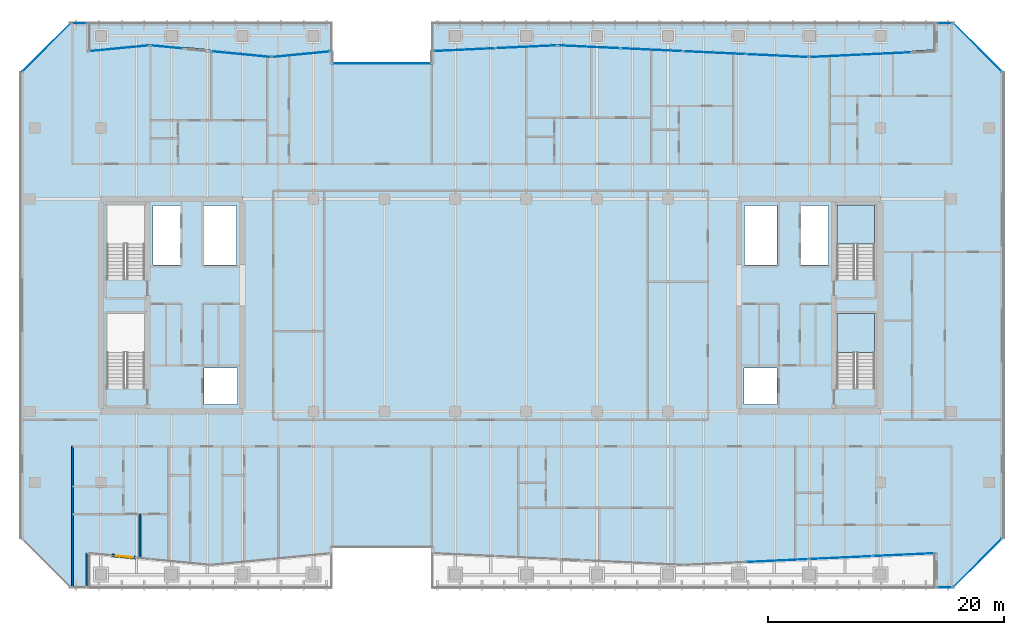
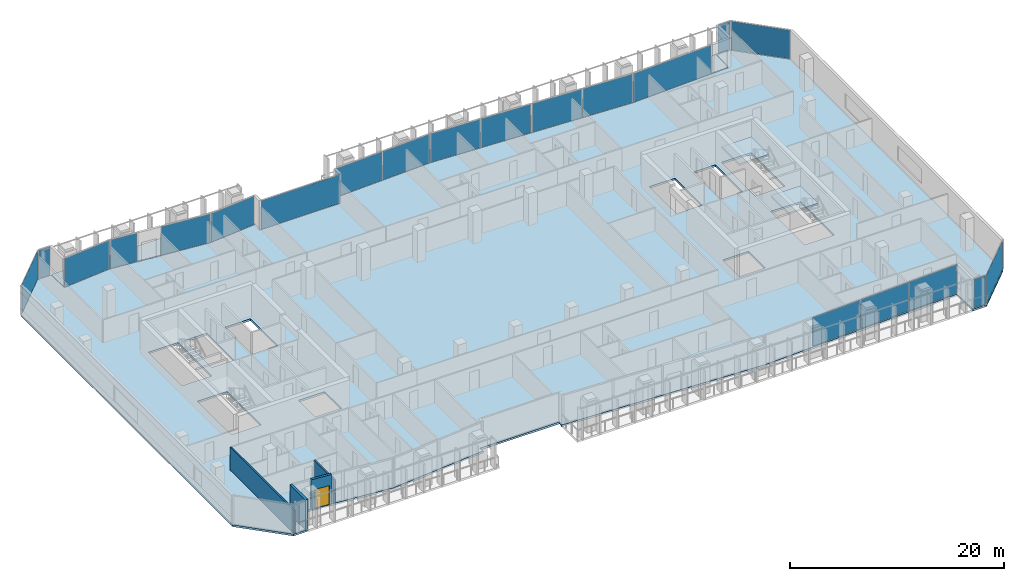
# One storey, part 26 of 39: 21 plates, 5 slabs, 4 walls, 1 door, 1 opening, 19 elements without a shape of their own.
"""IFC4 building model written with IfcOpenShell, lengths in metres."""

from ifc_helpers import new_model, si_unit, direction, frame, frame_2d, origin, origin_2d, place, context, subcontext, project, spatial, polyline, rectangle, outline, extrude, material, layer, layer_set, type_object, element, fill, aggregate, save


model = new_model("IFC4")

# Units and contexts
model_context = context("Model", 3, precision=1e-05, world=origin(), true_north=direction((0.0, 1.0)))
body_context = subcontext(model_context, "Body", "Model", "MODEL_VIEW")
ifc_project = project(units=[si_unit("LENGTHUNIT", "METRE"), si_unit("AREAUNIT", "SQUARE_METRE"), si_unit("VOLUMEUNIT", "CUBIC_METRE"), si_unit("PLANEANGLEUNIT", "RADIAN"), si_unit("MASSUNIT", "GRAM", prefix="KILO")], contexts=[model_context])

# Site, building, storey
site_placement = place(None, origin())
site = spatial("IfcSite", under=ifc_project, at=site_placement, CompositionType="ELEMENT")
building_placement = place(site_placement, origin())
building = spatial("IfcBuilding", under=site, at=building_placement, Name="Tanjung Sevakor Pilgrim Tower", CompositionType="ELEMENT")
storey_placement = place(building_placement, frame((0.0, 0.0, 108.570068359375)))
storey = spatial("IfcBuildingStorey", under=building, at=storey_placement, Name="L30", CompositionType="ELEMENT", Elevation=108.570068359375)

# Stair, slab
ifc_material_1 = material(Name="Concrete C40/50", Category="concrete")
stair_type = type_object("IfcStairType", Name="STAIR-ST-CR150", PredefinedType="HALF_TURN_STAIR", material=ifc_material_1)
stair_1_placement = place(storey_placement, origin())
stair_1 = element("IfcStair", 1, at=stair_1_placement, inside=storey, type_object=stair_type, Name="L30 East Core Exit Stair 1", PredefinedType="HALF_TURN_STAIR")
ifc_material_2 = material(Name="Concrete C40/50", Category="concrete")
ifc_layer_1 = layer(ifc_material_2, 0.199951171875)
ifc_layer_set_1 = layer_set([ifc_layer_1], Name="SL-LAND-200")
slab_type_1 = type_object("IfcSlabType", Name="SL-LAND-200", PredefinedType="LANDING", material=ifc_layer_set_1)
slab_1_placement = place(storey_placement, frame((0.0, 0.0, 1.614990234375)))
slab_1 = element("IfcSlab", 2, at=slab_1_placement, type_object=slab_type_1, Name="TS-E1 landing 1", PredefinedType="LANDING", context=body_context, shape_type="SweptSolid", body=[
    extrude(outline(polyline([(89.5, 29.60009765625), (89.5, 32.89990234375), (86.300048828125, 32.89990234375), (86.300048828125, 29.60009765625), (89.5, 29.60009765625)])), origin(), (0.0, 0.0, 1.0), 0.199951171875),
])
aggregate(stair_1, [slab_1])

stair_2_placement = place(storey_placement, origin())
stair_2 = element("IfcStair", 3, at=stair_2_placement, inside=storey, type_object=stair_type, Name="L30 East Core Exit Stair 2", PredefinedType="HALF_TURN_STAIR")
slab_2_placement = place(storey_placement, frame((0.0, 0.0, 1.614990234375)))
slab_2 = element("IfcSlab", 4, at=slab_2_placement, type_object=slab_type_1, Name="TS-E2 landing 1", PredefinedType="LANDING", context=body_context, shape_type="SweptSolid", body=[
    extrude(outline(polyline([(89.5, 38.800048828125), (89.5, 42.10009765625), (86.300048828125, 42.10009765625), (86.300048828125, 38.800048828125), (89.5, 38.800048828125)])), origin(), (0.0, 0.0, 1.0), 0.199951171875),
])
aggregate(stair_2, [slab_2])

# Slabs
ifc_material_3 = material(Name="Concrete C40/50", Category="concrete")
ifc_layer_2 = layer(ifc_material_3, 0.239990234375)
ifc_layer_set_2 = layer_set([ifc_layer_2], Name="SL-TER-240")
slab_type_2 = type_object("IfcSlabType", Name="SL-TER-240", PredefinedType="FLOOR", material=ifc_layer_set_2)
slab_3_placement = place(storey_placement, frame((0.0, 0.0, -0.219970703125)))
element("IfcSlab", 5, at=slab_3_placement, inside=storey, type_object=slab_type_2, Name="L30 Recessed S-Curve Terrace NW", PredefinedType="FLOOR", context=body_context, shape_type="SweptSolid", body=[
    extrude(outline(polyline([(23.0, 55.219970703125), (28.14990234375, 55.719970703125), (33.300048828125, 55.219970703125), (38.449951171875, 54.719970703125), (43.60009765625, 55.219970703125), (43.60009765625, 57.60009765625), (23.0, 57.60009765625), (23.0, 55.219970703125)])), origin(), (0.0, 0.0, 1.0), 0.219970703125),
])
slab_4_placement = place(storey_placement, frame((0.0, 0.0, -0.219970703125)))
element("IfcSlab", 6, at=slab_4_placement, inside=storey, type_object=slab_type_2, Name="L30 Recessed S-Curve Terrace NE", PredefinedType="FLOOR", context=body_context, shape_type="SweptSolid", body=[
    extrude(outline(polyline([(52.0, 55.219970703125), (62.64990234375, 55.719970703125), (73.300048828125, 55.219970703125), (83.949951171875, 54.719970703125), (94.60009765625, 55.219970703125), (94.60009765625, 57.60009765625), (52.0, 57.60009765625), (52.0, 55.219970703125)])), origin(), (0.0, 0.0, 1.0), 0.219970703125),
])
ifc_material_4 = material(Name="Concrete C40/50", Category="concrete")
ifc_layer_3 = layer(ifc_material_4, 0.219970703125)
ifc_layer_set_3 = layer_set([ifc_layer_3], Name="SL-TWR-220")
slab_type_3 = type_object("IfcSlabType", Name="SL-TWR-220", PredefinedType="FLOOR", material=ifc_layer_set_3)
slab_5_placement = place(storey_placement, frame((0.0, 0.0, -0.219970703125)))
element("IfcSlab", 7, at=slab_5_placement, inside=storey, type_object=slab_type_3, Name="L30 Floor Slab MAIN", PredefinedType="FLOOR", context=body_context, shape_type="SweptSolid", body=[
    extrude(outline(polyline([(21.447021484375, 9.679931640625), (22.919921875, 9.679931640625), (23.0, 12.56005859375), (28.14990234375, 12.06005859375), (33.300048828125, 11.56005859375), (38.449951171875, 12.06005859375), (43.60009765625, 12.56005859375), (43.52001953125, 13.080078125), (52.080078125, 13.080078125), (52.0, 12.56005859375), (62.64990234375, 12.06005859375), (73.300048828125, 11.56005859375), (83.949951171875, 12.06005859375), (94.60009765625, 12.56005859375), (94.679931640625, 9.679931640625), (96.153076171875, 9.679931640625), (100.320068359375, 13.846923828125), (100.320068359375, 53.35302734375), (96.153076171875, 57.52001953125), (94.679931640625, 57.52001953125), (94.60009765625, 55.139892578125), (83.949951171875, 54.639892578125), (73.300048828125, 55.139892578125), (62.64990234375, 55.639892578125), (52.0, 55.139892578125), (52.080078125, 54.1201171875), (43.52001953125, 54.1201171875), (43.60009765625, 55.139892578125), (38.449951171875, 54.639892578125), (33.300048828125, 55.139892578125), (28.14990234375, 55.639892578125), (23.0, 55.139892578125), (22.919921875, 57.52001953125), (21.447021484375, 57.52001953125), (17.280029296875, 53.35302734375), (17.280029296875, 13.846923828125), (21.447021484375, 9.679931640625)]), holes=[polyline([(27.699951171875, 26.60009765625), (27.699951171875, 32.89990234375), (24.5, 32.89990234375), (24.5, 26.60009765625), (27.699951171875, 26.60009765625)]), polyline([(27.699951171875, 35.800048828125), (27.699951171875, 42.10009765625), (24.5, 42.10009765625), (24.5, 35.800048828125), (27.699951171875, 35.800048828125)]), polyline([(89.5, 26.60009765625), (89.5, 32.89990234375), (86.300048828125, 32.89990234375), (86.300048828125, 26.60009765625), (89.5, 26.60009765625)]), polyline([(89.5, 35.800048828125), (89.5, 42.10009765625), (86.300048828125, 42.10009765625), (86.300048828125, 35.800048828125), (89.5, 35.800048828125)]), polyline([(32.75, 25.199951171875), (35.550048828125, 25.199951171875), (35.550048828125, 28.300048828125), (32.75, 28.300048828125), (32.75, 25.199951171875)]), polyline([(28.39990234375, 37.0), (30.75, 37.0), (30.75, 42.050048828125), (28.39990234375, 42.050048828125), (28.39990234375, 37.0)]), polyline([(32.75, 37.0), (35.5, 37.0), (35.5, 42.050048828125), (32.75, 42.050048828125), (32.75, 37.0)]), polyline([(78.449951171875, 25.199951171875), (81.25, 25.199951171875), (81.25, 28.300048828125), (78.449951171875, 28.300048828125), (78.449951171875, 25.199951171875)]), polyline([(83.25, 37.0), (85.60009765625, 37.0), (85.60009765625, 42.050048828125), (83.25, 42.050048828125), (83.25, 37.0)]), polyline([(78.5, 37.0), (81.25, 37.0), (81.25, 42.050048828125), (78.5, 42.050048828125), (78.5, 37.0)])]), origin(), (0.0, 0.0, 1.0), 0.219970703125),
])

# Curtain wall, plate
ifc_material_5 = material(Name="Aluminium 6063-T6 and Low-E Glass", Category="aluminium")
ifc_layer_4 = layer(ifc_material_5, 0.179931640625)
ifc_layer_set_4 = layer_set([ifc_layer_4], Name="CW-SYS-CHAM")
curtain_wall_type_1 = type_object("IfcCurtainWallType", Name="CW-SYS-CHAM", PredefinedType="NOTDEFINED", material=ifc_layer_set_4)
curtain_wall_1_placement = place(storey_placement, origin())
curtain_wall_1 = element("IfcCurtainWall", 8, at=curtain_wall_1_placement, inside=storey, type_object=curtain_wall_type_1, Name="L30 Curtain Wall CW-CHM-L30-MAIN-15", PredefinedType="NOTDEFINED")
ifc_material_6 = material(Name="Laminated Low-E Double Glazing", Category="glass")
ifc_layer_5 = layer(ifc_material_6, 0.028076171875)
ifc_layer_set_5 = layer_set([ifc_layer_5], Name="TYPE-CWP-GLZ1")
plate_type_1 = type_object("IfcPlateType", Name="TYPE-CWP-GLZ1", PredefinedType="CURTAIN_PANEL", material=ifc_layer_set_5)
plate_1_placement = place(storey_placement, frame((98.211669921875, 11.788330078125, 0.06494140625), z_axis=(0.0, 0.0, 1.0), x_axis=(0.707106781187, 0.707106781187, 0.0)))
plate_1 = element("IfcPlate", 9, at=plate_1_placement, type_object=plate_type_1, Name="CW-CHM panel 1.1", PredefinedType="CURTAIN_PANEL", context=body_context, shape_type="SweptSolid", body=[
    extrude(rectangle(XDim=5.7060546875, YDim=0.028076171875, at=origin_2d()), origin(), (0.0, 0.0, 1.0), 3.280029296875),
])
aggregate(curtain_wall_1, [plate_1])

curtain_wall_2_placement = place(storey_placement, origin())
curtain_wall_2 = element("IfcCurtainWall", 10, at=curtain_wall_2_placement, inside=storey, type_object=curtain_wall_type_1, Name="L30 Curtain Wall CW-CHM-L30-MAIN-17", PredefinedType="NOTDEFINED")
plate_2_placement = place(storey_placement, frame((98.211669921875, 55.41162109375, 0.06494140625), z_axis=(0.0, 0.0, 1.0), x_axis=(-0.707106781187, 0.707106781187, 0.0)))
plate_2 = element("IfcPlate", 11, at=plate_2_placement, type_object=plate_type_1, Name="CW-CHM panel 1.1", PredefinedType="CURTAIN_PANEL", context=body_context, shape_type="SweptSolid", body=[
    extrude(rectangle(XDim=5.7060546875, YDim=0.028076171875, at=origin_2d()), origin(), (0.0, 0.0, 1.0), 3.280029296875),
])
aggregate(curtain_wall_2, [plate_2])

ifc_material_7 = material(Name="Aluminium 6063-T6 and Low-E Glass", Category="aluminium")
ifc_layer_6 = layer(ifc_material_7, 0.179931640625)
ifc_layer_set_6 = layer_set([ifc_layer_6], Name="CW-SYS-CLEFT")
curtain_wall_type_2 = type_object("IfcCurtainWallType", Name="CW-SYS-CLEFT", PredefinedType="NOTDEFINED", material=ifc_layer_set_6)
curtain_wall_3_placement = place(storey_placement, origin())
curtain_wall_3 = element("IfcCurtainWall", 12, at=curtain_wall_3_placement, inside=storey, type_object=curtain_wall_type_2, Name="L30 Curtain Wall CW-CLF-L30-25", PredefinedType="NOTDEFINED")
plate_3_placement = place(storey_placement, frame((47.800048828125, 54.074951171875, 0.06494140625), z_axis=(0.0, 0.0, 1.0), x_axis=(-1.0, 0.0, 0.0)))
plate_3 = element("IfcPlate", 13, at=plate_3_placement, type_object=plate_type_1, Name="CW-CLF panel 1.1", PredefinedType="CURTAIN_PANEL", context=body_context, shape_type="SweptSolid", body=[
    extrude(rectangle(XDim=8.5, YDim=0.028076171875, at=origin_2d()), origin(), (0.0, 0.0, 1.0), 3.280029296875),
])
aggregate(curtain_wall_3, [plate_3])

curtain_wall_4_placement = place(storey_placement, origin())
curtain_wall_4 = element("IfcCurtainWall", 14, at=curtain_wall_4_placement, inside=storey, type_object=curtain_wall_type_1, Name="L30 Curtain Wall CW-CHM-L30-MAIN-33", PredefinedType="NOTDEFINED")
plate_4_placement = place(storey_placement, frame((19.388427734375, 55.41162109375, 0.06494140625), z_axis=(0.0, 0.0, 1.0), x_axis=(-0.707106781187, -0.707106781187, 0.0)))
plate_4 = element("IfcPlate", 15, at=plate_4_placement, type_object=plate_type_1, Name="CW-CHM panel 1.1", PredefinedType="CURTAIN_PANEL", context=body_context, shape_type="SweptSolid", body=[
    extrude(rectangle(XDim=5.7060546875, YDim=0.028076171875, at=origin_2d()), origin(), (0.0, 0.0, 1.0), 3.280029296875),
])
aggregate(curtain_wall_4, [plate_4])

ifc_material_8 = material(Name="Aluminium 6063-T6 and Low-E Glass", Category="aluminium")
ifc_layer_7 = layer(ifc_material_8, 0.199951171875)
ifc_layer_set_7 = layer_set([ifc_layer_7], Name="CW-SYS-PRAY")
curtain_wall_type_3 = type_object("IfcCurtainWallType", Name="CW-SYS-PRAY", PredefinedType="NOTDEFINED", material=ifc_layer_set_7)
curtain_wall_5_placement = place(storey_placement, origin())
curtain_wall_5 = element("IfcCurtainWall", 16, at=curtain_wall_5_placement, inside=storey, type_object=curtain_wall_type_3, Name="L30 Curtain Wall CW-PRY-L30-11", PredefinedType="NOTDEFINED")
ifc_material_9 = material(Name="Solar-Control Low-E Acoustic Glazing", Category="glass")
ifc_layer_8 = layer(ifc_material_9, 0.031982421875)
ifc_layer_set_8 = layer_set([ifc_layer_8], Name="TYPE-CWP-GLZ2")
plate_type_2 = type_object("IfcPlateType", Name="TYPE-CWP-GLZ2", PredefinedType="CURTAIN_PANEL", material=ifc_layer_set_8)
plate_5_placement = place(storey_placement, frame((81.264404296875, 11.97900390625, 0.07470703125), z_axis=(0.0, 0.0, 1.0), x_axis=(0.998899405896, 0.046903911367, 0.0)))
plate_5 = element("IfcPlate", 17, at=plate_5_placement, type_object=plate_type_2, Name="CW-PRY panel 2.1", PredefinedType="CURTAIN_PANEL", context=body_context, shape_type="SweptSolid", body=[
    extrude(rectangle(XDim=5.21533203125, YDim=0.031982421875, at=origin_2d()), origin(), (0.0, 0.0, 1.0), 3.260009765625),
])
aggregate(curtain_wall_5, [plate_5])

# Curtain wall, plates
curtain_wall_6_placement = place(storey_placement, origin())
curtain_wall_6 = element("IfcCurtainWall", 18, at=curtain_wall_6_placement, inside=storey, type_object=curtain_wall_type_3, Name="L30 Curtain Wall CW-PRY-L30-12", PredefinedType="NOTDEFINED")
plate_6_placement = place(storey_placement, frame((86.657958984375, 12.232421875, 0.07470703125), z_axis=(0.0, 0.0, 1.0), x_axis=(0.998899942061, 0.046892491411, 0.0)))
plate_6 = element("IfcPlate", 19, at=plate_6_placement, type_object=plate_type_2, Name="CW-PRY panel 1.1", PredefinedType="CURTAIN_PANEL", context=body_context, shape_type="SweptSolid", body=[
    extrude(rectangle(XDim=5.283935546875, YDim=0.031982421875, at=origin_2d()), origin(), (0.0, 0.0, 1.0), 3.260009765625),
])
plate_7_placement = place(storey_placement, frame((92.010986328125, 12.483642578125, 0.07470703125), z_axis=(0.0, 0.0, 1.0), x_axis=(0.998899942061, 0.046892491411, 0.0)))
plate_7 = element("IfcPlate", 20, at=plate_7_placement, type_object=plate_type_2, Name="CW-PRY panel 2.1", PredefinedType="CURTAIN_PANEL", context=body_context, shape_type="SweptSolid", body=[
    extrude(rectangle(XDim=5.283935546875, YDim=0.031982421875, at=origin_2d()), origin(), (0.0, 0.0, 1.0), 3.260009765625),
])
aggregate(curtain_wall_6, [plate_6, plate_7])

# Curtain wall, plate
curtain_wall_7_placement = place(storey_placement, origin())
curtain_wall_7 = element("IfcCurtainWall", 21, at=curtain_wall_7_placement, inside=storey, type_object=curtain_wall_type_3, Name="L30 Curtain Wall CW-PRY-L30-14", PredefinedType="NOTDEFINED")
plate_8_placement = place(storey_placement, frame((95.4365234375, 9.72509765625, 0.07470703125), z_axis=(0.0, 0.0, 1.0), x_axis=(1.0, 0.0, 0.0)))
plate_8 = element("IfcPlate", 22, at=plate_8_placement, type_object=plate_type_2, Name="CW-PRY panel 1.1", PredefinedType="CURTAIN_PANEL", context=body_context, shape_type="SweptSolid", body=[
    extrude(rectangle(XDim=1.273193359375, YDim=0.031982421875, at=origin_2d()), origin(), (0.0, 0.0, 1.0), 3.260009765625),
])
aggregate(curtain_wall_7, [plate_8])

curtain_wall_8_placement = place(storey_placement, origin())
curtain_wall_8 = element("IfcCurtainWall", 23, at=curtain_wall_8_placement, inside=storey, type_object=curtain_wall_type_3, Name="L30 Curtain Wall CW-PRY-L30-18", PredefinedType="NOTDEFINED")
plate_9_placement = place(storey_placement, frame((95.4365234375, 57.47509765625, 0.07470703125), z_axis=(0.0, 0.0, 1.0), x_axis=(-1.0, 0.0, 0.0)))
plate_9 = element("IfcPlate", 24, at=plate_9_placement, type_object=plate_type_2, Name="CW-PRY panel 1.1", PredefinedType="CURTAIN_PANEL", context=body_context, shape_type="SweptSolid", body=[
    extrude(rectangle(XDim=1.273193359375, YDim=0.031982421875, at=origin_2d()), origin(), (0.0, 0.0, 1.0), 3.260009765625),
])
aggregate(curtain_wall_8, [plate_9])

curtain_wall_9_placement = place(storey_placement, origin())
curtain_wall_9 = element("IfcCurtainWall", 25, at=curtain_wall_9_placement, inside=storey, type_object=curtain_wall_type_3, Name="L30 Curtain Wall CW-PRY-L30-20B", PredefinedType="NOTDEFINED")
plate_10_placement = place(storey_placement, frame((88.30859375, 54.799560546875, 0.07470703125), z_axis=(0.0, 0.0, 1.0), x_axis=(-0.998900082081, -0.04688950863, 0.0)))
plate_10 = element("IfcPlate", 26, at=plate_10_placement, type_object=plate_type_2, Name="CW-PRY panel 1.1", PredefinedType="CURTAIN_PANEL", context=body_context, shape_type="SweptSolid", body=[
    extrude(rectangle(XDim=8.576904296875, YDim=0.031982421875, at=origin_2d()), origin(), (0.0, 0.0, 1.0), 3.260009765625),
])
aggregate(curtain_wall_9, [plate_10])

# Curtain wall, plates
curtain_wall_10_placement = place(storey_placement, origin())
curtain_wall_10 = element("IfcCurtainWall", 27, at=curtain_wall_10_placement, inside=storey, type_object=curtain_wall_type_3, Name="L30 Curtain Wall CW-PRY-L30-21", PredefinedType="NOTDEFINED")
plate_11_placement = place(storey_placement, frame((81.267333984375, 54.720947265625, 0.07470703125), z_axis=(0.0, 0.0, 1.0), x_axis=(-0.998900082494, 0.046889499825, 0.0)))
plate_11 = element("IfcPlate", 28, at=plate_11_placement, type_object=plate_type_2, Name="CW-PRY panel 1.1", PredefinedType="CURTAIN_PANEL", context=body_context, shape_type="SweptSolid", body=[
    extrude(rectangle(XDim=5.221435546875, YDim=0.031982421875, at=origin_2d()), origin(), (0.0, 0.0, 1.0), 3.260009765625),
])
plate_12_placement = place(storey_placement, frame((75.976806640625, 54.96923828125, 0.07470703125), z_axis=(0.0, 0.0, 1.0), x_axis=(-0.998900082494, 0.046889499825, 0.0)))
plate_12 = element("IfcPlate", 29, at=plate_12_placement, type_object=plate_type_2, Name="CW-PRY panel 2.1", PredefinedType="CURTAIN_PANEL", context=body_context, shape_type="SweptSolid", body=[
    extrude(rectangle(XDim=5.221435546875, YDim=0.031982421875, at=origin_2d()), origin(), (0.0, 0.0, 1.0), 3.260009765625),
])
aggregate(curtain_wall_10, [plate_11, plate_12])

curtain_wall_11_placement = place(storey_placement, origin())
curtain_wall_11 = element("IfcCurtainWall", 30, at=curtain_wall_11_placement, inside=storey, type_object=curtain_wall_type_3, Name="L30 Curtain Wall CW-PRY-L30-22", PredefinedType="NOTDEFINED")
plate_13_placement = place(storey_placement, frame((70.6142578125, 55.220947265625, 0.07470703125), z_axis=(0.0, 0.0, 1.0), x_axis=(-0.998899405896, 0.046903911367, 0.0)))
plate_13 = element("IfcPlate", 31, at=plate_13_placement, type_object=plate_type_2, Name="CW-PRY panel 1.1", PredefinedType="CURTAIN_PANEL", context=body_context, shape_type="SweptSolid", body=[
    extrude(rectangle(XDim=5.21533203125, YDim=0.031982421875, at=origin_2d()), origin(), (0.0, 0.0, 1.0), 3.260009765625),
])
plate_14_placement = place(storey_placement, frame((65.329833984375, 55.468994140625, 0.07470703125), z_axis=(0.0, 0.0, 1.0), x_axis=(-0.998899405896, 0.046903911367, 0.0)))
plate_14 = element("IfcPlate", 32, at=plate_14_placement, type_object=plate_type_2, Name="CW-PRY panel 2.1", PredefinedType="CURTAIN_PANEL", context=body_context, shape_type="SweptSolid", body=[
    extrude(rectangle(XDim=5.21533203125, YDim=0.031982421875, at=origin_2d()), origin(), (0.0, 0.0, 1.0), 3.260009765625),
])
aggregate(curtain_wall_11, [plate_13, plate_14])

curtain_wall_12_placement = place(storey_placement, origin())
curtain_wall_12 = element("IfcCurtainWall", 33, at=curtain_wall_12_placement, inside=storey, type_object=curtain_wall_type_3, Name="L30 Curtain Wall CW-PRY-L30-23", PredefinedType="NOTDEFINED")
plate_15_placement = place(storey_placement, frame((60.0, 55.470458984375, 0.07470703125), z_axis=(0.0, 0.0, 1.0), x_axis=(-0.998899439641, -0.046903192699, 0.0)))
plate_15 = element("IfcPlate", 34, at=plate_15_placement, type_object=plate_type_2, Name="CW-PRY panel 1.1", PredefinedType="CURTAIN_PANEL", context=body_context, shape_type="SweptSolid", body=[
    extrude(rectangle(XDim=5.15576171875, YDim=0.031982421875, at=origin_2d()), origin(), (0.0, 0.0, 1.0), 3.260009765625),
])
plate_16_placement = place(storey_placement, frame((54.77490234375, 55.22509765625, 0.07470703125), z_axis=(0.0, 0.0, 1.0), x_axis=(-0.998899439641, -0.046903192699, 0.0)))
plate_16 = element("IfcPlate", 35, at=plate_16_placement, type_object=plate_type_2, Name="CW-PRY panel 2.1", PredefinedType="CURTAIN_PANEL", context=body_context, shape_type="SweptSolid", body=[
    extrude(rectangle(XDim=5.15576171875, YDim=0.031982421875, at=origin_2d()), origin(), (0.0, 0.0, 1.0), 3.260009765625),
])
aggregate(curtain_wall_12, [plate_15, plate_16])

# Curtain wall, plate
curtain_wall_13_placement = place(storey_placement, origin())
curtain_wall_13 = element("IfcCurtainWall", 36, at=curtain_wall_13_placement, inside=storey, type_object=curtain_wall_type_3, Name="L30 Curtain Wall CW-PRY-L30-27", PredefinedType="NOTDEFINED")
plate_17_placement = place(storey_placement, frame((40.96240234375, 54.83837890625, 0.07470703125), z_axis=(0.0, 0.0, 1.0), x_axis=(-0.99531939477, -0.096640066202, 0.0)))
plate_17 = element("IfcPlate", 37, at=plate_17_placement, type_object=plate_type_2, Name="CW-PRY panel 1.1", PredefinedType="CURTAIN_PANEL", context=body_context, shape_type="SweptSolid", body=[
    extrude(rectangle(XDim=4.898681640625, YDim=0.031982421875, at=origin_2d()), origin(), (0.0, 0.0, 1.0), 3.260009765625),
])
aggregate(curtain_wall_13, [plate_17])

curtain_wall_14_placement = place(storey_placement, origin())
curtain_wall_14 = element("IfcCurtainWall", 38, at=curtain_wall_14_placement, inside=storey, type_object=curtain_wall_type_3, Name="L30 Curtain Wall CW-PRY-L30-28", PredefinedType="NOTDEFINED")
plate_18_placement = place(storey_placement, frame((35.868896484375, 54.844970703125, 0.07470703125), z_axis=(0.0, 0.0, 1.0), x_axis=(-0.99531961101, 0.096637839059, 0.0)))
plate_18 = element("IfcPlate", 39, at=plate_18_placement, type_object=plate_type_2, Name="CW-PRY panel 1.1", PredefinedType="CURTAIN_PANEL", context=body_context, shape_type="SweptSolid", body=[
    extrude(rectangle(XDim=5.036376953125, YDim=0.031982421875, at=origin_2d()), origin(), (0.0, 0.0, 1.0), 3.260009765625),
])
aggregate(curtain_wall_14, [plate_18])

curtain_wall_15_placement = place(storey_placement, origin())
curtain_wall_15 = element("IfcCurtainWall", 40, at=curtain_wall_15_placement, inside=storey, type_object=curtain_wall_type_3, Name="L30 Curtain Wall CW-PRY-L30-29B", PredefinedType="NOTDEFINED")
plate_19_placement = place(storey_placement, frame((29.5693359375, 55.45654296875, 0.07470703125), z_axis=(0.0, 0.0, 1.0), x_axis=(-0.995320144627, 0.096632342925, 0.0)))
plate_19 = element("IfcPlate", 41, at=plate_19_placement, type_object=plate_type_2, Name="CW-PRY panel 1.1", PredefinedType="CURTAIN_PANEL", context=body_context, shape_type="SweptSolid", body=[
    extrude(rectangle(XDim=2.7021484375, YDim=0.031982421875, at=origin_2d()), origin(), (0.0, 0.0, 1.0), 3.260009765625),
])
aggregate(curtain_wall_15, [plate_19])

curtain_wall_16_placement = place(storey_placement, origin())
curtain_wall_16 = element("IfcCurtainWall", 42, at=curtain_wall_16_placement, inside=storey, type_object=curtain_wall_type_3, Name="L30 Curtain Wall CW-PRY-L30-30", PredefinedType="NOTDEFINED")
plate_20_placement = place(storey_placement, frame((25.512451171875, 55.33837890625, 0.07470703125), z_axis=(0.0, 0.0, 1.0), x_axis=(-0.995320731042, -0.096626302622, 0.0)))
plate_20 = element("IfcPlate", 43, at=plate_20_placement, type_object=plate_type_2, Name="CW-PRY panel 1.1", PredefinedType="CURTAIN_PANEL", context=body_context, shape_type="SweptSolid", body=[
    extrude(rectangle(XDim=5.14990234375, YDim=0.031982421875, at=origin_2d()), origin(), (0.0, 0.0, 1.0), 3.260009765625),
])
aggregate(curtain_wall_16, [plate_20])

curtain_wall_17_placement = place(storey_placement, origin())
curtain_wall_17 = element("IfcCurtainWall", 44, at=curtain_wall_17_placement, inside=storey, type_object=curtain_wall_type_3, Name="L30 Curtain Wall CW-PRY-L30-32", PredefinedType="NOTDEFINED")
plate_21_placement = place(storey_placement, frame((22.163330078125, 57.47509765625, 0.07470703125), z_axis=(0.0, 0.0, 1.0), x_axis=(-1.0, 0.0, 0.0)))
plate_21 = element("IfcPlate", 45, at=plate_21_placement, type_object=plate_type_2, Name="CW-PRY panel 1.1", PredefinedType="CURTAIN_PANEL", context=body_context, shape_type="SweptSolid", body=[
    extrude(rectangle(XDim=1.273193359375, YDim=0.031982421875, at=origin_2d()), origin(), (0.0, 0.0, 1.0), 3.260009765625),
])
aggregate(curtain_wall_17, [plate_21])

# Walls
ifc_material_10 = material(Name="Concrete C40/50", Category="concrete")
ifc_layer_9 = layer(ifc_material_10, 0.14990234375)
ifc_layer_set_9 = layer_set([ifc_layer_9], Name="WT-COMP-150")
wall_type_1 = type_object("IfcWallType", Name="WT-COMP-150", PredefinedType="SOLIDWALL", material=ifc_layer_set_9)
wall_1_placement = place(storey_placement, frame((21.60009765625, 9.72509765625, 0.0), z_axis=(0.0, 0.0, 1.0), x_axis=(0.0, 1.0, 0.0)))
element("IfcWall", 46, at=wall_1_placement, inside=storey, type_object=wall_type_1, Name="L30 Partition IW-L30-056", PredefinedType="SOLIDWALL", context=body_context, shape_type="SweptSolid", body=[
    extrude(rectangle(XDim=11.9248046875, YDim=0.14990234375, at=frame_2d((5.96240234375, 0.0))), origin(), (0.0, 0.0, 1.0), 2.6298828125),
])
ifc_material_11 = material(Name="Precast concrete C45/55", Category="concrete")
ifc_layer_10 = layer(ifc_material_11, 0.25)
ifc_layer_set_10 = layer_set([ifc_layer_10], Name="WT-EW-STN3")
wall_type_2 = type_object("IfcWallType", Name="WT-EW-STN3", PredefinedType="SOLIDWALL", material=ifc_layer_set_10)
wall_2_placement = place(storey_placement, frame((22.875, 9.72509765625, 0.0), z_axis=(0.0, 0.0, 1.0), x_axis=(0.0, 1.0, 0.0)))
element("IfcWall", 47, at=wall_2_placement, inside=storey, type_object=wall_type_2, Name="L30 MAIN Exterior Wall 2", PredefinedType="SOLIDWALL", context=body_context, shape_type="SweptSolid", body=[
    extrude(rectangle(XDim=2.892578125, YDim=0.25, at=frame_2d((1.4462890625, 0.0))), origin(), (0.0, 0.0, 1.0), 3.409912109375),
])

# Wall, opening, door
wall_3_placement = place(storey_placement, frame((24.915283203125, 12.419677734375, 0.0), z_axis=(0.0, 0.0, 1.0), x_axis=(0.995313658776, -0.096699124367, 0.0)))
wall_3 = element("IfcWall", 48, at=wall_3_placement, inside=storey, type_object=wall_type_2, Name="L30 S-Curve Terrace Threshold Wall 2", PredefinedType="SOLIDWALL", context=body_context, shape_type="SweptSolid", body=[
    extrude(rectangle(XDim=2.060302734375, YDim=0.25, at=frame_2d((1.0302734375, 0.0))), origin(), (0.0, 0.0, 1.0), 3.409912109375),
])
opening_placement = place(wall_3_placement, frame((0.35009765625, 0.0, 0.0)))
opening = element("IfcOpeningElement", 49, at=opening_placement, cuts=wall_3, Name="Opening ED-TER-1500", PredefinedType="OPENING", context=body_context, shape_type="SweptSolid", body=[
    extrude(rectangle(XDim=1.5, YDim=2.199951171875, at=frame_2d((0.75, 1.10009765625))), frame((0.0, 0.135009765625, 0.0), z_axis=(0.0, -1.0, 0.0), x_axis=(1.0, 0.0, 0.0)), (0.0, 0.0, 1.0), 0.27001953125),
])
ifc_material_12 = material(Name="Anodised Aluminium and Laminated Glass", Category="aluminium")
door_type = type_object("IfcDoorType", Name="DTYP-ED-TER-1500", OperationType="DOUBLE_DOOR_SINGLE_SWING", PredefinedType="DOOR", material=ifc_material_12)
door_placement = place(opening_placement, frame((1.5, 0.0, 0.0), z_axis=(0.0, 0.0, 1.0), x_axis=(-1.0, 0.0, 0.0)))
door = element("IfcDoor", 50, at=door_placement, inside=storey, type_object=door_type, Name="L30 S-Curve Terrace Access Door 2", OperationType="SINGLE_SWING_RIGHT", OverallHeight=2.199951171875, OverallWidth=1.5, PredefinedType="DOOR", context=body_context, shape_type="SweptSolid", body=[
    extrude(rectangle(XDim=1.5, YDim=2.199951171875, at=frame_2d((0.75, 1.10009765625))), frame((0.0, 0.02490234375, 0.0), z_axis=(0.0, -1.0, 0.0), x_axis=(1.0, 0.0, 0.0)), (0.0, 0.0, 1.0), 0.050048828125),
])
fill(opening, door)

# Wall
ifc_material_13 = material(Name="Gypsum Board Partition", Category="gypsum board")
ifc_layer_11 = layer(ifc_material_13, 0.14990234375)
ifc_layer_set_11 = layer_set([ifc_layer_11], Name="WT-PART-150")
wall_type_3 = type_object("IfcWallType", Name="WT-PART-150", PredefinedType="PARTITIONING", material=ifc_layer_set_11)
wall_4_placement = place(storey_placement, frame((27.312744140625, 12.18701171875, 0.0), z_axis=(0.0, 0.0, 1.0), x_axis=(0.0, 1.0, 0.0)))
element("IfcWall", 51, at=wall_4_placement, inside=storey, type_object=wall_type_3, Name="L30 Partition IW-L30-060", PredefinedType="PARTITIONING", context=body_context, shape_type="SweptSolid", body=[
    extrude(rectangle(XDim=3.729736328125, YDim=0.14990234375, at=frame_2d((1.86474609375, 0.0))), origin(), (0.0, 0.0, 1.0), 2.6298828125),
])

save(model, "model.ifc")
